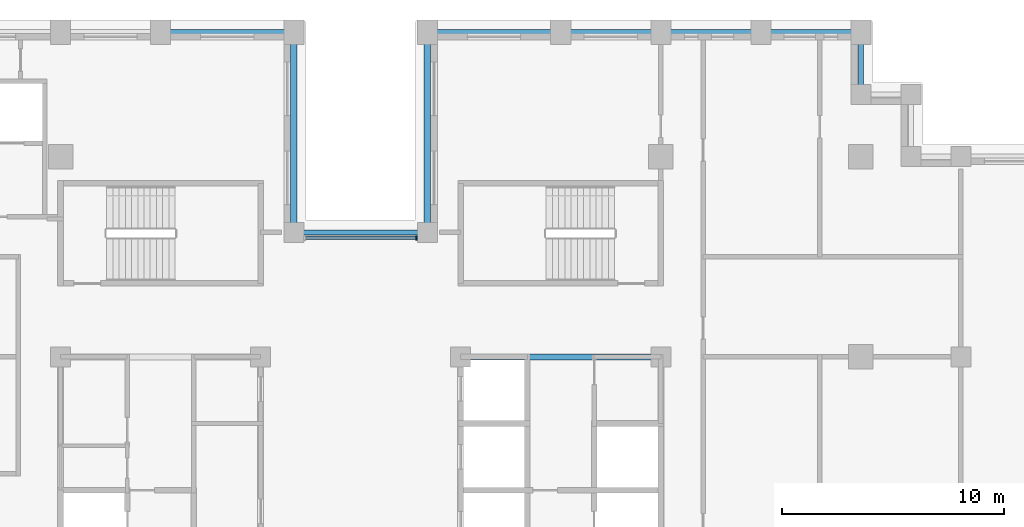
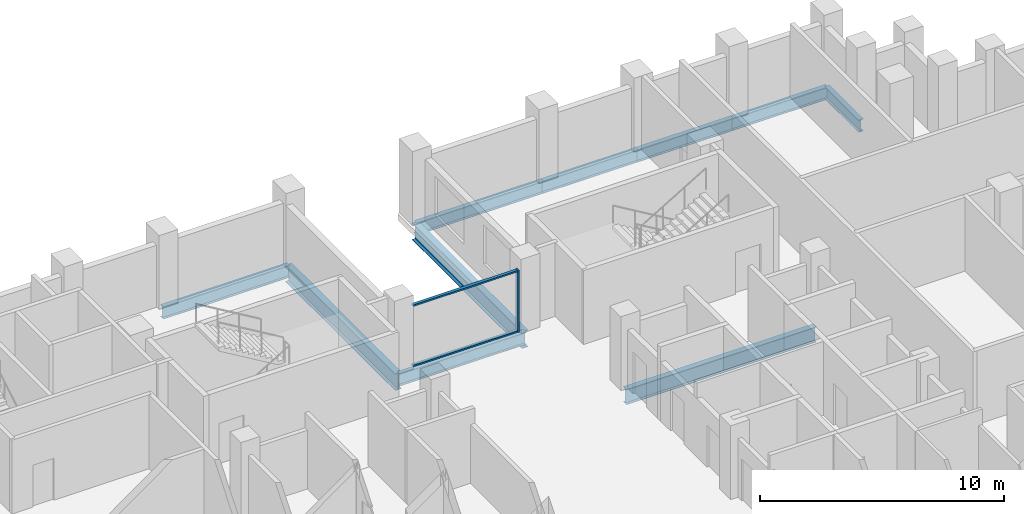
# One storey, part 4 of 15: 10 beams, 3 members, 1 element without a shape of its own.
"""IFC4 building model written with IfcOpenShell, lengths in metres."""

from ifc_helpers import new_model, si_unit, direction, frame, origin, origin_2d, place, context, subcontext, project, spatial, rectangle, i_section, extrude, material, layer, layer_set, material_profile, profile_set, type_object, element, aggregate, save


model = new_model("IFC4")

# Units and contexts
model_context = context("Model", 3, precision=1e-05, world=origin(), true_north=direction((0.0, 1.0)))
body_context = subcontext(model_context, "Body", "Model", "MODEL_VIEW")
ifc_project = project(units=[si_unit("LENGTHUNIT", "METRE"), si_unit("AREAUNIT", "SQUARE_METRE"), si_unit("VOLUMEUNIT", "CUBIC_METRE"), si_unit("PLANEANGLEUNIT", "RADIAN"), si_unit("MASSUNIT", "GRAM", prefix="KILO")], contexts=[model_context])

# Site, building, storey
site_placement = place(None, origin())
site = spatial("IfcSite", under=ifc_project, at=site_placement, CompositionType="ELEMENT")
building_placement = place(site_placement, origin())
building = spatial("IfcBuilding", under=site, at=building_placement, Name="Corbelhall Arena Tower", CompositionType="ELEMENT")
storey_placement = place(building_placement, frame((0.0, 0.0, 134.0)))
storey = spatial("IfcBuildingStorey", under=building, at=storey_placement, Name="L25", CompositionType="ELEMENT", Elevation=134.0)

# Curtain wall, members
ifc_material_1 = material(Name="Aluminium black anodised", Category="aluminium")
ifc_layer = layer(ifc_material_1, 0.199951171875)
ifc_layer_set = layer_set([ifc_layer], Name="EV-CW1 Slot back wall")
curtain_wall_type = type_object("IfcCurtainWallType", Name="EV-CW1 Slot back wall", PredefinedType="NOTDEFINED", material=ifc_layer_set)
curtain_wall_placement = place(storey_placement, origin())
curtain_wall = element("IfcCurtainWall", 1, at=curtain_wall_placement, inside=storey, type_object=curtain_wall_type, Name="Curtain wall CW1", PredefinedType="NOTDEFINED")
ifc_material_profile_1 = material_profile(ifc_material_1, rectangle(XDim=0.199951171875, YDim=0.074951171875, at=origin_2d()))
ifc_profile_set_1 = profile_set([ifc_material_profile_1], Name="Aluminium black anodised")
member_type_1 = type_object("IfcMemberType", Name="EV-CW1-MULLION", PredefinedType="MULLION", material=ifc_profile_set_1)
member_1_placement = place(storey_placement, frame((2.512451171875, 14.35009765625, 0.0), z_axis=(0.0, 0.0, 1.0), x_axis=(0.0, -1.0, 0.0)))
member_1 = element("IfcMember", 2, at=member_1_placement, type_object=member_type_1, Name="CW1 mullion 1", PredefinedType="MULLION", context=body_context, shape_type="SweptSolid", body=[
    extrude(rectangle(XDim=0.199951171875, YDim=0.074951171875, at=origin_2d()), origin(), (0.0, 0.0, 1.0), 3.10009765625),
])
ifc_material_profile_2 = material_profile(ifc_material_1, rectangle(XDim=0.14990234375, YDim=0.074951171875, at=origin_2d()))
ifc_profile_set_2 = profile_set([ifc_material_profile_2], Name="Aluminium black anodised")
member_type_2 = type_object("IfcMemberType", Name="EV-CW1-TRANSOM", PredefinedType="USERDEFINED", material=ifc_profile_set_2)
member_2_placement = place(storey_placement, frame((2.47509765625, 14.35009765625, 0.03759765625), z_axis=(-1.0, 0.0, 0.0), x_axis=(0.0, -1.0, 0.0)))
member_2 = element("IfcMember", 3, at=member_2_placement, type_object=member_type_2, Name="CW1 transom 1.1", ObjectType="transom", PredefinedType="USERDEFINED", context=body_context, shape_type="SweptSolid", body=[
    extrude(rectangle(XDim=0.14990234375, YDim=0.074951171875, at=origin_2d()), origin(), (0.0, 0.0, 1.0), 4.9501953125),
])
member_3_placement = place(storey_placement, frame((2.47509765625, 14.35009765625, 3.0625), z_axis=(-1.0, 0.0, 0.0), x_axis=(0.0, -1.0, 0.0)))
member_3 = element("IfcMember", 4, at=member_3_placement, type_object=member_type_2, Name="CW1 transom 1.2", ObjectType="transom", PredefinedType="USERDEFINED", context=body_context, shape_type="SweptSolid", body=[
    extrude(rectangle(XDim=0.14990234375, YDim=0.074951171875, at=origin_2d()), origin(), (0.0, 0.0, 1.0), 4.9501953125),
])
aggregate(curtain_wall, [member_1, member_2, member_3])

# Beams
ifc_material_2 = material(Name="Steel ASTM A992 Gr50", Category="steel")
ifc_material_profile_3 = material_profile(ifc_material_2, i_section(OverallWidth=0.2666015625, OverallDepth=0.761962890625, WebThickness=0.014404296875, FlangeThickness=0.021484375, at=origin_2d()))
ifc_profile_set_3 = profile_set([ifc_material_profile_3], Name="Steel ASTM A992 Gr50")
beam_type_1 = type_object("IfcBeamType", Name="ST-BEAM-W30x116", PredefinedType="BEAM", material=ifc_profile_set_3)
beam_1_placement = place(storey_placement, frame((4.5, 9.0, -0.680908203125), z_axis=(1.0, 0.0, 0.0), x_axis=(0.0, 1.0, 0.0)))
element("IfcBeam", 5, at=beam_1_placement, inside=storey, type_object=beam_type_1, Name="Beam CEE 12", PredefinedType="BEAM", context=body_context, shape_type="SweptSolid", body=[
    extrude(i_section(OverallWidth=0.2666015625, OverallDepth=0.761962890625, WebThickness=0.014404296875, FlangeThickness=0.021484375, at=origin_2d()), origin(), (0.0, 0.0, 1.0), 9.0),
])
ifc_material_profile_4 = material_profile(ifc_material_2, i_section(OverallWidth=0.22900390625, OverallDepth=0.612060546875, WebThickness=0.011962890625, FlangeThickness=0.01953125, at=origin_2d()))
ifc_profile_set_4 = profile_set([ifc_material_profile_4], Name="Steel ASTM A992 Gr50")
beam_type_2 = type_object("IfcBeamType", Name="ST-SPANDREL-W24x84", PredefinedType="SPANDREL", material=ifc_profile_set_4)
beam_2_placement = place(storey_placement, frame((3.0, 23.60009765625, -0.60595703125), z_axis=(1.0, 0.0, 0.0), x_axis=(0.0, 1.0, 0.0)))
element("IfcBeam", 6, at=beam_2_placement, inside=storey, type_object=beam_type_2, Name="Beam SP 17", PredefinedType="SPANDREL", context=body_context, shape_type="SweptSolid", body=[
    extrude(i_section(OverallWidth=0.22900390625, OverallDepth=0.612060546875, WebThickness=0.011962890625, FlangeThickness=0.01953125, at=origin_2d()), origin(), (0.0, 0.0, 1.0), 6.0),
])
for number, where, z_axis, x_axis, name in (
    (7, (9.0, 23.60009765625, -0.60595703125), (1.0, 0.0, 0.0), (0.0, 1.0, 0.0), "Beam SP 18"),
    (8, (13.5, 23.60009765625, -0.60595703125), (1.0, 0.0, 0.0), (0.0, 1.0, 0.0), "Beam SP 19"),
    (9, (18.0, 23.60009765625, -0.60595703125), (1.0, 0.0, 0.0), (0.0, 1.0, 0.0), "Beam SP 20"),
):
    element("IfcBeam", number, at=place(storey_placement, frame(where, z_axis=z_axis, x_axis=x_axis)), inside=storey, type_object=beam_type_2, Name=name, PredefinedType="SPANDREL", context=body_context, shape_type="SweptSolid", body=[
        extrude(i_section(OverallWidth=0.22900390625, OverallDepth=0.612060546875, WebThickness=0.011962890625, FlangeThickness=0.01953125, at=origin_2d()), origin(), (0.0, 0.0, 1.0), 4.5),
    ])
beam_3_placement = place(storey_placement, frame((22.5, 23.60009765625, -0.60595703125), z_axis=(0.0, -1.0, 0.0), x_axis=(1.0, 0.0, 0.0)))
element("IfcBeam", 10, at=beam_3_placement, inside=storey, type_object=beam_type_2, Name="Beam SP 21", PredefinedType="SPANDREL", context=body_context, shape_type="SweptSolid", body=[
    extrude(i_section(OverallWidth=0.22900390625, OverallDepth=0.612060546875, WebThickness=0.011962890625, FlangeThickness=0.01953125, at=origin_2d()), origin(), (0.0, 0.0, 1.0), 2.800048828125),
])
for number, where, z_axis, x_axis, name in (
    (11, (-9.0, 23.60009765625, -0.60595703125), (1.0, 0.0, 0.0), (0.0, 1.0, 0.0), "Beam SP 23"),
    (12, (-3.0, 14.60009765625, -0.60595703125), (1.0, 0.0, 0.0), (0.0, 1.0, 0.0), "Beam SP 40"),
):
    element("IfcBeam", number, at=place(storey_placement, frame(where, z_axis=z_axis, x_axis=x_axis)), inside=storey, type_object=beam_type_2, Name=name, PredefinedType="SPANDREL", context=body_context, shape_type="SweptSolid", body=[
        extrude(i_section(OverallWidth=0.22900390625, OverallDepth=0.612060546875, WebThickness=0.011962890625, FlangeThickness=0.01953125, at=origin_2d()), origin(), (0.0, 0.0, 1.0), 6.0),
    ])
ifc_material_profile_5 = material_profile(ifc_material_2, i_section(OverallWidth=0.2919921875, OverallDepth=0.845703125, WebThickness=0.015380859375, FlangeThickness=0.0244140625, at=origin_2d()))
ifc_profile_set_5 = profile_set([ifc_material_profile_5], Name="Steel ASTM A992 Gr50")
beam_type_3 = type_object("IfcBeamType", Name="ST-SPANDREL-W33x141", PredefinedType="SPANDREL", material=ifc_profile_set_5)
for number, where, z_axis, x_axis, name in (
    (13, (-3.0, 23.60009765625, -0.722900390625), (0.0, -1.0, 0.0), (1.0, 0.0, 0.0), "Beam SP 22"),
    (14, (3.0, 14.60009765625, -0.722900390625), (0.0, 1.0, 0.0), (-1.0, 0.0, 0.0), "Beam SP 39"),
):
    element("IfcBeam", number, at=place(storey_placement, frame(where, z_axis=z_axis, x_axis=x_axis)), inside=storey, type_object=beam_type_3, Name=name, PredefinedType="SPANDREL", context=body_context, shape_type="SweptSolid", body=[
        extrude(i_section(OverallWidth=0.2919921875, OverallDepth=0.845703125, WebThickness=0.015380859375, FlangeThickness=0.0244140625, at=origin_2d()), origin(), (0.0, 0.0, 1.0), 9.0),
    ])

save(model, "model.ifc")
